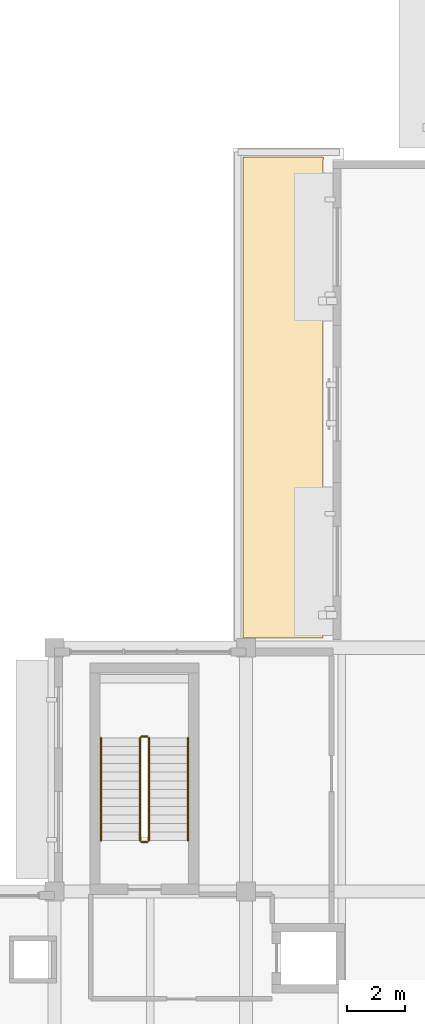
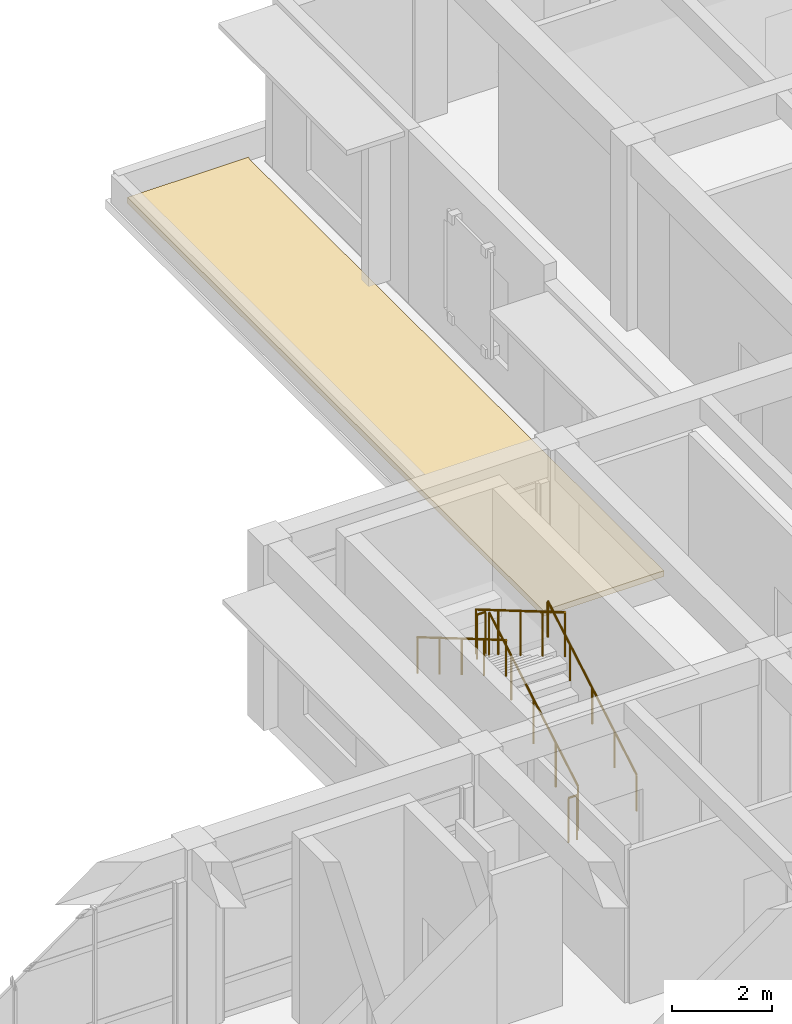
# One storey, part 44 of 50: 6 railings, 1 covering.
"""IFC4 building model written with IfcOpenShell, lengths in metres."""

from ifc_helpers import new_model, si_unit, direction, frame, origin, origin_2d, place, context, subcontext, project, spatial, polyline, circle, outline, extrude, material, layer, layer_set, type_object, element, save


model = new_model("IFC4")

# Units and contexts
model_context = context("Model", 3, precision=1e-05, world=origin(), true_north=direction((0.0, 1.0)))
body_context = subcontext(model_context, "Body", "Model", "MODEL_VIEW")
ifc_project = project(units=[si_unit("LENGTHUNIT", "METRE"), si_unit("AREAUNIT", "SQUARE_METRE"), si_unit("VOLUMEUNIT", "CUBIC_METRE"), si_unit("PLANEANGLEUNIT", "RADIAN"), si_unit("MASSUNIT", "GRAM", prefix="KILO")], contexts=[model_context])

# Site, building, storey
site_placement = place(None, origin())
site = spatial("IfcSite", under=ifc_project, at=site_placement, CompositionType="ELEMENT")
building_placement = place(site_placement, origin())
building = spatial("IfcBuilding", under=site, at=building_placement, Name="Kolvaren Faculty of Natural Sciences", CompositionType="ELEMENT")
storey_placement = place(building_placement, frame((0.0, 0.0, 15.0)))
storey = spatial("IfcBuildingStorey", under=building, at=storey_placement, Name="L03", CompositionType="ELEMENT", Elevation=15.0)

# Covering
ifc_material_1 = material(Name="SBS polymer-modified bitumen waterproofing membrane over PIR insulation")
ifc_layer_1 = layer(ifc_material_1, 0.139892578125)
ifc_layer_set_1 = layer_set([ifc_layer_1], Name="SBS polymer-modified bitumen waterproofing membrane over PIR insulation")
covering_type = type_object("IfcCoveringType", Name="InsulatedRoofMembrane_140", PredefinedType="ROOFING", material=ifc_layer_set_1)
covering_placement = place(storey_placement, origin())
element("IfcCovering", 1, at=covering_placement, inside=storey, type_object=covering_type, Name="L03 insulated warm-roof waterproofing membrane 1", PredefinedType="ROOFING", context=body_context, shape_type="SweptSolid", body=[
    extrude(outline(polyline([(134.87841796875, 59.110107421875), (134.87646484375, 59.10400390625), (134.875732421875, 59.102294921875), (134.871337890625, 59.087158203125), (134.870849609375, 59.085205078125), (134.8642578125, 59.0537109375), (134.864013671875, 59.052001953125), (134.860595703125, 59.01806640625), (134.8603515625, 59.01611328125), (134.860107421875, 59.0), (134.860107421875, 42.5400390625), (132.090087890625, 42.5400390625), (132.090087890625, 59.110107421875), (134.87841796875, 59.110107421875)])), origin(), (0.0, 0.0, 1.0), 0.139892578125),
])

# Railings
ifc_material_2 = material(Name="Structural steel EN 10210-1 S355J2H", Category="steel")
ifc_layer_2 = layer(ifc_material_2, 0.048095703125)
ifc_layer_set_2 = layer_set([ifc_layer_2], Name="Structural steel EN 10210-1 S355J2H")
railing_type_1 = type_object("IfcRailingType", Name="StairPitchHandrail_920", PredefinedType="HANDRAIL", material=ifc_layer_set_2)
railing_1_placement = place(storey_placement, frame((130.199951171875, 35.550048828125, 0.173095703125)))
element("IfcRailing", 2, at=railing_1_placement, inside=storey, type_object=railing_type_1, Name="L03 ST-3 stair handrail 1", PredefinedType="HANDRAIL", context=body_context, shape_type="SweptSolid", body=[
    extrude(circle(Radius=0.02392578125, at=origin_2d()), frame((0.0, 0.0, 0.8759765625), z_axis=(0.0, 0.862516251723, 0.506029362304), x_axis=(-1.0, 0.0, 0.0)), (0.0, 0.0, 1.0), 4.104248046875),
    extrude(circle(Radius=0.02099609375, at=origin_2d()), origin(), (0.0, 0.0, 1.0), 0.851806640625),
    extrude(circle(Radius=0.02099609375, at=origin_2d()), frame((0.0, 0.885009765625, 0.519287109375)), (0.0, 0.0, 1.0), 0.851806640625),
    extrude(circle(Radius=0.02099609375, at=origin_2d()), frame((0.0, 1.77001953125, 1.03857421875)), (0.0, 0.0, 1.0), 0.851806640625),
    extrude(circle(Radius=0.02099609375, at=origin_2d()), frame((0.0, 2.655029296875, 1.5576171875)), (0.0, 0.0, 1.0), 0.851806640625),
    extrude(circle(Radius=0.02099609375, at=origin_2d()), frame((0.0, 3.5400390625, 2.076904296875)), (0.0, 0.0, 1.0), 0.851806640625),
])
railing_2_placement = place(storey_placement, frame((127.199951171875, 39.090087890625, 2.423095703125)))
element("IfcRailing", 3, at=railing_2_placement, inside=storey, type_object=railing_type_1, Name="L03 ST-3 stair handrail 2", PredefinedType="HANDRAIL", context=body_context, shape_type="SweptSolid", body=[
    extrude(circle(Radius=0.02392578125, at=origin_2d()), frame((0.0, 0.0, 0.8759765625), z_axis=(0.0, -0.862516251723, 0.506029362304), x_axis=(1.0, 0.0, 0.0)), (0.0, 0.0, 1.0), 4.104248046875),
    extrude(circle(Radius=0.02099609375, at=origin_2d()), origin(), (0.0, 0.0, 1.0), 0.851806640625),
    extrude(circle(Radius=0.02099609375, at=origin_2d()), frame((0.0, -0.885009765625, 0.519287109375)), (0.0, 0.0, 1.0), 0.851806640625),
    extrude(circle(Radius=0.02099609375, at=origin_2d()), frame((0.0, -1.77001953125, 1.03857421875)), (0.0, 0.0, 1.0), 0.851806640625),
    extrude(circle(Radius=0.02099609375, at=origin_2d()), frame((0.0, -2.655029296875, 1.5576171875)), (0.0, 0.0, 1.0), 0.851806640625),
    extrude(circle(Radius=0.02099609375, at=origin_2d()), frame((0.0, -3.5400390625, 2.076904296875)), (0.0, 0.0, 1.0), 0.851806640625),
])
ifc_layer_3 = layer(ifc_material_2, 0.048095703125)
ifc_layer_set_3 = layer_set([ifc_layer_3], Name="Structural steel EN 10210-1 S355J2H")
railing_type_2 = type_object("IfcRailingType", Name="StairWellGuard_1100", PredefinedType="BALUSTRADE", material=ifc_layer_set_3)
railing_3_placement = place(storey_placement, frame((128.85009765625, 35.550048828125, 0.173095703125)))
element("IfcRailing", 4, at=railing_3_placement, inside=storey, type_object=railing_type_2, Name="L03 ST-3 stair guard 1", PredefinedType="BALUSTRADE", context=body_context, shape_type="SweptSolid", body=[
    extrude(circle(Radius=0.02392578125, at=origin_2d()), frame((0.0, 0.0, 1.076171875), z_axis=(0.0, 0.862516251723, 0.506029362304), x_axis=(-1.0, 0.0, 0.0)), (0.0, 0.0, 1.0), 4.104248046875),
    extrude(circle(Radius=0.02099609375, at=origin_2d()), origin(), (0.0, 0.0, 1.0), 1.052001953125),
    extrude(circle(Radius=0.02099609375, at=origin_2d()), frame((0.0, 0.885009765625, 0.519287109375)), (0.0, 0.0, 1.0), 1.052001953125),
    extrude(circle(Radius=0.02099609375, at=origin_2d()), frame((0.0, 1.77001953125, 1.03857421875)), (0.0, 0.0, 1.0), 1.052001953125),
    extrude(circle(Radius=0.02099609375, at=origin_2d()), frame((0.0, 2.655029296875, 1.5576171875)), (0.0, 0.0, 1.0), 1.052001953125),
    extrude(circle(Radius=0.02099609375, at=origin_2d()), frame((0.0, 3.5400390625, 2.076904296875)), (0.0, 0.0, 1.0), 1.052001953125),
])
railing_4_placement = place(storey_placement, frame((128.800048828125, 39.139892578125, 2.25)))
element("IfcRailing", 5, at=railing_4_placement, inside=storey, type_object=railing_type_2, Name="L03 ST-3 stair guard 2", PredefinedType="BALUSTRADE", context=body_context, shape_type="SweptSolid", body=[
    extrude(circle(Radius=0.02392578125, at=origin_2d()), frame((0.0, 0.0, 1.076171875), z_axis=(-1.0, 0.0, 0.0), x_axis=(0.0, -1.0, 0.0)), (0.0, 0.0, 1.0), 0.199951171875),
    extrude(circle(Radius=0.02099609375, at=origin_2d()), origin(), (0.0, 0.0, 1.0), 1.052001953125),
    extrude(circle(Radius=0.02099609375, at=origin_2d()), frame((-0.199951171875, 0.0, 0.0)), (0.0, 0.0, 1.0), 1.052001953125),
])
railing_5_placement = place(storey_placement, frame((128.550048828125, 39.090087890625, 2.423095703125)))
element("IfcRailing", 6, at=railing_5_placement, inside=storey, type_object=railing_type_2, Name="L03 ST-3 stair guard 3", PredefinedType="BALUSTRADE", context=body_context, shape_type="SweptSolid", body=[
    extrude(circle(Radius=0.02392578125, at=origin_2d()), frame((0.0, 0.0, 1.076171875), z_axis=(0.0, -0.862516251723, 0.506029362304), x_axis=(1.0, 0.0, 0.0)), (0.0, 0.0, 1.0), 4.104248046875),
    extrude(circle(Radius=0.02099609375, at=origin_2d()), origin(), (0.0, 0.0, 1.0), 1.052001953125),
    extrude(circle(Radius=0.02099609375, at=origin_2d()), frame((0.0, -0.885009765625, 0.519287109375)), (0.0, 0.0, 1.0), 1.052001953125),
    extrude(circle(Radius=0.02099609375, at=origin_2d()), frame((0.0, -1.77001953125, 1.03857421875)), (0.0, 0.0, 1.0), 1.052001953125),
    extrude(circle(Radius=0.02099609375, at=origin_2d()), frame((0.0, -2.655029296875, 1.5576171875)), (0.0, 0.0, 1.0), 1.052001953125),
    extrude(circle(Radius=0.02099609375, at=origin_2d()), frame((0.0, -3.5400390625, 2.076904296875)), (0.0, 0.0, 1.0), 1.052001953125),
])
railing_6_placement = place(storey_placement, frame((128.800048828125, 35.5, 0.0)))
element("IfcRailing", 7, at=railing_6_placement, inside=storey, type_object=railing_type_2, Name="L03 ST-3 stair guard 4", PredefinedType="BALUSTRADE", context=body_context, shape_type="SweptSolid", body=[
    extrude(circle(Radius=0.02392578125, at=origin_2d()), frame((0.0, 0.0, 1.076171875), z_axis=(-1.0, 0.0, 0.0), x_axis=(0.0, -1.0, 0.0)), (0.0, 0.0, 1.0), 0.199951171875),
    extrude(circle(Radius=0.02099609375, at=origin_2d()), origin(), (0.0, 0.0, 1.0), 1.052001953125),
    extrude(circle(Radius=0.02099609375, at=origin_2d()), frame((-0.199951171875, 0.0, 0.0)), (0.0, 0.0, 1.0), 1.052001953125),
])

save(model, "model.ifc")
